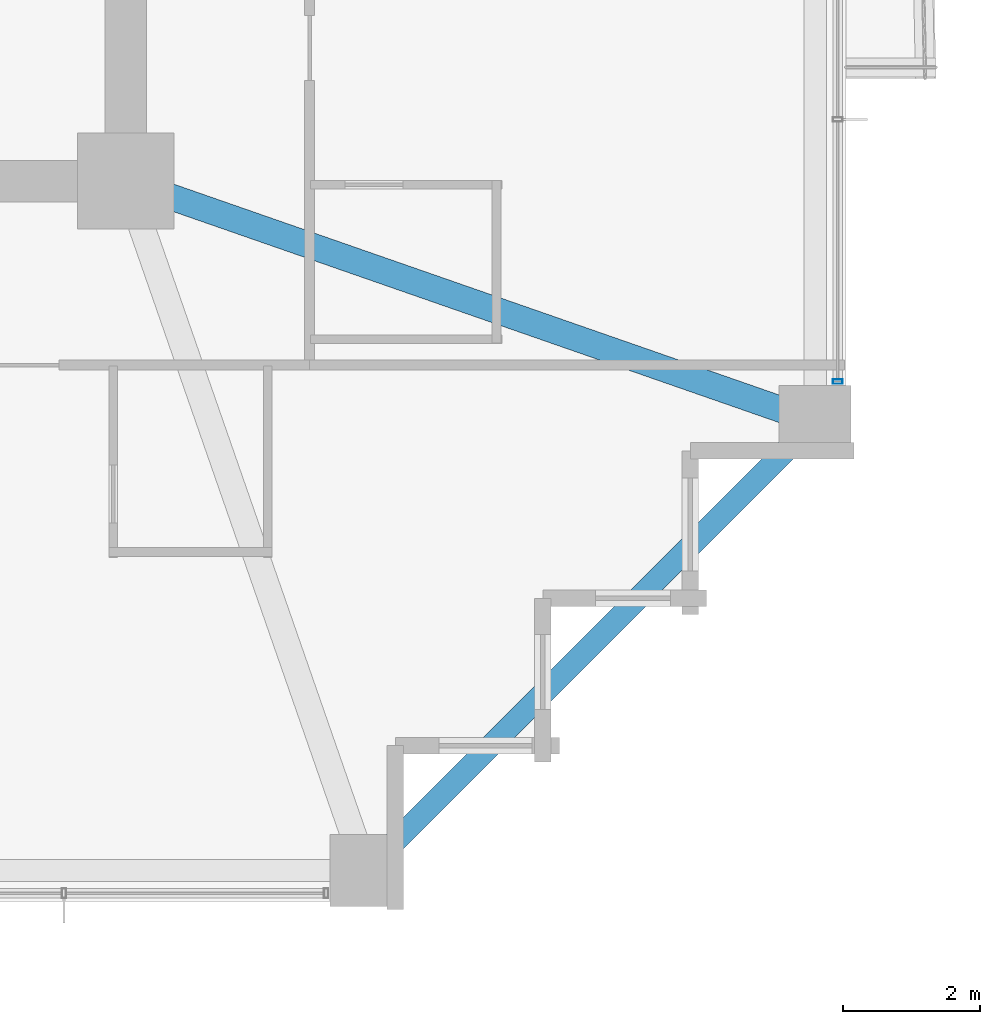
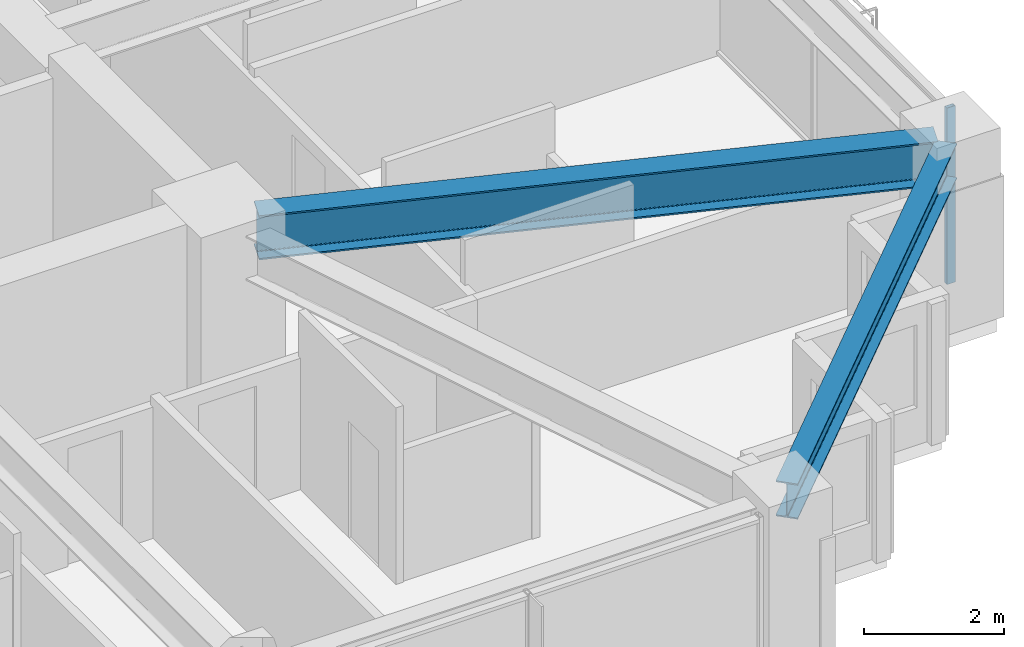
# One storey, part 12 of 37: 2 beams, 1 member, 1 element without a shape of its own.
"""IFC4 building model written with IfcOpenShell, lengths in metres."""

from ifc_helpers import new_model, si_unit, direction, frame, origin, origin_2d, place, context, subcontext, project, spatial, hollow_rectangle, i_section, extrude, material, material_profile, profile_set, type_object, element, aggregate, save


model = new_model("IFC4")

# Units and contexts
model_context = context("Model", 3, precision=1e-05, world=origin(), true_north=direction((0.0, 1.0)))
body_context = subcontext(model_context, "Body", "Model", "MODEL_VIEW")
ifc_project = project(units=[si_unit("LENGTHUNIT", "METRE"), si_unit("AREAUNIT", "SQUARE_METRE"), si_unit("VOLUMEUNIT", "CUBIC_METRE"), si_unit("PLANEANGLEUNIT", "RADIAN"), si_unit("MASSUNIT", "GRAM", prefix="KILO")], contexts=[model_context])

# Site, building, storey
site_placement = place(None, origin())
site = spatial("IfcSite", under=ifc_project, at=site_placement, CompositionType="ELEMENT")
building_placement = place(site_placement, origin())
building = spatial("IfcBuilding", under=site, at=building_placement, Name="Kolvaren Belvedere", CompositionType="ELEMENT")
storey_placement = place(building_placement, frame((0.0, 0.0, 75.5)))
storey = spatial("IfcBuildingStorey", under=building, at=storey_placement, Name="L21", CompositionType="ELEMENT", Elevation=75.5)

# Beams
ifc_material_1 = material(Name="Structural steel ASTM A992 Grade 50", Category="steel")
ifc_material_profile_1 = material_profile(ifc_material_1, i_section(OverallWidth=0.381103515625, OverallDepth=0.77294921875, WebThickness=0.0166015625, FlangeThickness=0.027099609375, FilletRadius=0.02392578125, at=origin_2d()), Name="W30X173")
ifc_profile_set_1 = profile_set([ifc_material_profile_1], Name="Structural steel ASTM A992 Grade 50")
beam_type_1 = type_object("IfcBeamType", Name="BM-GIRD-W30X173", PredefinedType="BEAM", material=ifc_profile_set_1)
beam_1_placement = place(storey_placement, frame((10.41943359375, -10.080810546875, 2.693603515625), z_axis=(0.944371408538, -0.328880894453, 0.0), x_axis=(0.328880894453, 0.944371408538, 0.0)))
element("IfcBeam", 1, at=beam_1_placement, inside=storey, type_object=beam_type_1, Name="L21 Corner Core-to-Perimeter Girder CC2-E1", PredefinedType="BEAM", context=body_context, shape_type="SweptSolid", body=[
    extrude(i_section(OverallWidth=0.381103515625, OverallDepth=0.77294921875, WebThickness=0.0166015625, FlangeThickness=0.027099609375, FilletRadius=0.02392578125, at=origin_2d()), origin(), (0.0, 0.0, 1.0), 9.882080078125),
])
ifc_material_2 = material(Name="Structural steel ASTM A992 Grade 50", Category="steel")
ifc_material_profile_2 = material_profile(ifc_material_2, i_section(OverallWidth=0.324951171875, OverallDepth=0.615966796875, WebThickness=0.013916015625, FlangeThickness=0.021484375, FilletRadius=0.02001953125, at=origin_2d()), Name="W24X117")
ifc_profile_set_2 = profile_set([ifc_material_profile_2], Name="Structural steel ASTM A992 Grade 50")
beam_type_2 = type_object("IfcBeamType", Name="BM-SPAN-W24X117", PredefinedType="SPANDREL", material=ifc_profile_set_2)
beam_2_placement = place(storey_placement, frame((13.567138671875, -19.782958984375, 2.77197265625), z_axis=(0.707106781187, 0.707106781187, 0.0), x_axis=(-0.707106781187, 0.707106781187, 0.0)))
element("IfcBeam", 2, at=beam_2_placement, inside=storey, type_object=beam_type_2, Name="L21 Perimeter Spandrel S4-E1", PredefinedType="SPANDREL", context=body_context, shape_type="SweptSolid", body=[
    extrude(i_section(OverallWidth=0.324951171875, OverallDepth=0.615966796875, WebThickness=0.013916015625, FlangeThickness=0.021484375, FilletRadius=0.02001953125, at=origin_2d()), origin(), (0.0, 0.0, 1.0), 8.79052734375),
])

# Curtain wall, member
ifc_material_3 = material(Name="Anodised pale-metal aluminium AA 6063-T6", Category="aluminium")
curtain_wall_type = type_object("IfcCurtainWallType", Name="CW-Z2-MID", PredefinedType="NOTDEFINED", material=ifc_material_3)
curtain_wall_placement = place(storey_placement, origin())
curtain_wall = element("IfcCurtainWall", 3, at=curtain_wall_placement, inside=storey, type_object=curtain_wall_type, Name="L21 Unitised Curtain Wall FCW-L21-E2-B2", PredefinedType="NOTDEFINED")
ifc_material_4 = material(Name="Anodised pale-metal aluminium AA 6063-T6", Category="aluminium")
ifc_material_profile_3 = material_profile(ifc_material_4, hollow_rectangle(XDim=0.06494140625, YDim=0.139892578125, WallThickness=0.00390625, at=origin_2d()), Name="ALU-MUL-140X65")
ifc_profile_set_3 = profile_set([ifc_material_profile_3], Name="Anodised pale-metal aluminium AA 6063-T6")
member_type = type_object("IfcMemberType", Name="CW-MUL-140", PredefinedType="MULLION", material=ifc_profile_set_3)
member_placement = place(storey_placement, frame((20.280029296875, -12.822509765625, 0.0), z_axis=(0.0, 0.0, 1.0), x_axis=(0.0, 1.0, 0.0)))
member = element("IfcMember", 4, at=member_placement, type_object=member_type, Name="FCW-L21-E2-B2 Unitised Mullion 3", PredefinedType="MULLION", context=body_context, shape_type="SweptSolid", body=[
    extrude(hollow_rectangle(XDim=0.06494140625, YDim=0.139892578125, WallThickness=0.00390625, at=origin_2d()), origin(), (0.0, 0.0, 1.0), 3.080078125),
])
aggregate(curtain_wall, [member])

save(model, "model.ifc")
